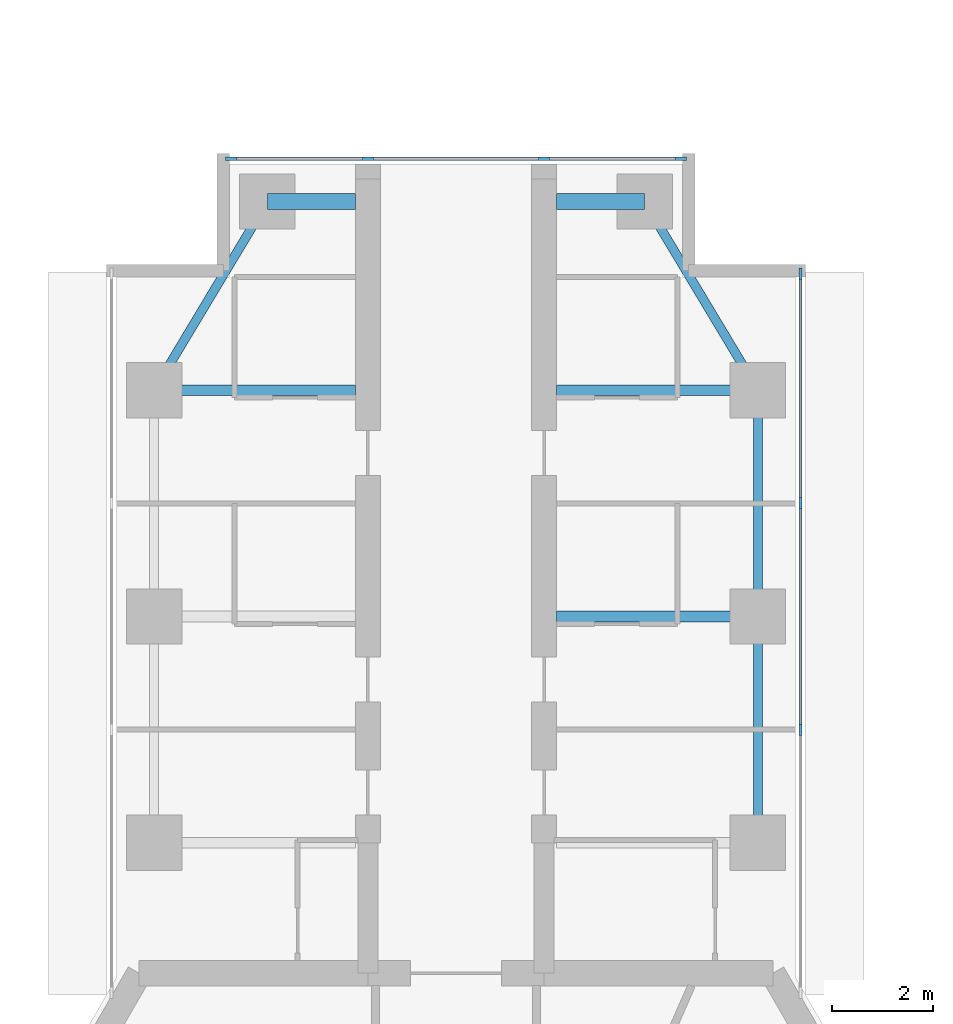
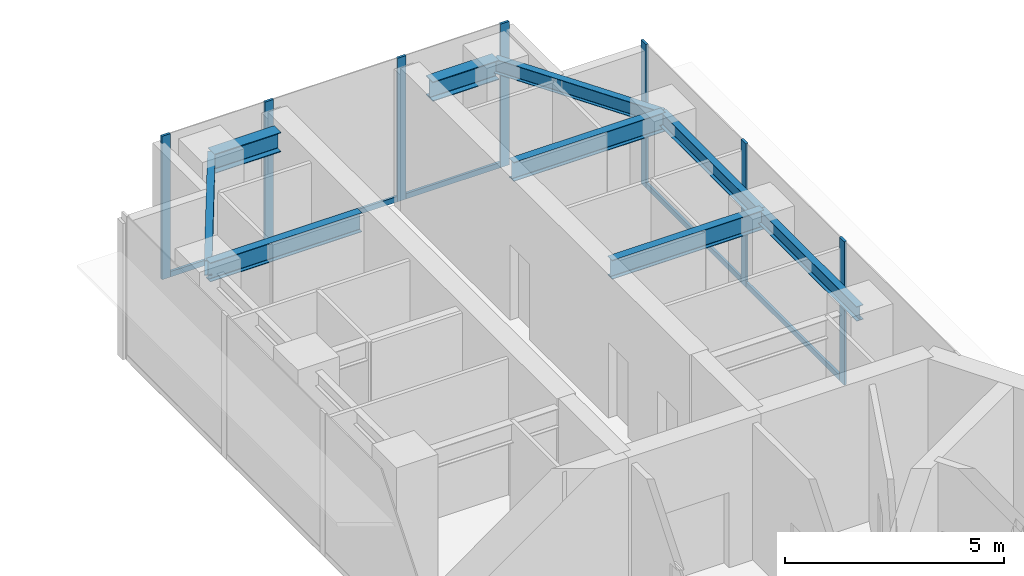
# One storey, part 9 of 18: 12 members, 9 beams, 2 elements without a shape of their own.
"""IFC4 building model written with IfcOpenShell, lengths in metres."""

from ifc_helpers import new_model, si_unit, direction, frame, origin, origin_2d, place, context, subcontext, project, spatial, rectangle, i_section, extrude, material, material_profile, profile_set, type_object, element, aggregate, save


model = new_model("IFC4")

# Units and contexts
model_context = context("Model", 3, precision=1e-05, world=origin(), true_north=direction((0.0, 1.0)))
body_context = subcontext(model_context, "Body", "Model", "MODEL_VIEW")
ifc_project = project(units=[si_unit("LENGTHUNIT", "METRE"), si_unit("AREAUNIT", "SQUARE_METRE"), si_unit("VOLUMEUNIT", "CUBIC_METRE"), si_unit("PLANEANGLEUNIT", "RADIAN"), si_unit("MASSUNIT", "GRAM", prefix="KILO")], contexts=[model_context])

# Site, building, storey
site_placement = place(None, origin())
site = spatial("IfcSite", under=ifc_project, at=site_placement, CompositionType="ELEMENT")
building_placement = place(site_placement, origin())
building = spatial("IfcBuilding", under=site, at=building_placement, Name="Upepo Twin Towers", CompositionType="ELEMENT")
storey_placement = place(building_placement, frame((0.0, 0.0, 226.5)))
storey = spatial("IfcBuildingStorey", under=building, at=storey_placement, Name="L55", CompositionType="ELEMENT", Elevation=226.5)

# Beams
ifc_material_1 = material(Name="Steel S355", Category="steel")
ifc_material_profile_1 = material_profile(ifc_material_1, i_section(OverallWidth=0.177978515625, OverallDepth=0.406494140625, WebThickness=0.0078125, FlangeThickness=0.0126953125, FilletRadius=0.01025390625, at=origin_2d()), Name="UB 406x178x60")
ifc_profile_set_1 = profile_set([ifc_material_profile_1], Name="Steel S355")
beam_type_1 = type_object("IfcBeamType", Name="Beam UB 406x178x60", PredefinedType="BEAM", material=ifc_profile_set_1)
beam_1_placement = place(storey_placement, frame((52.5, 4.5, 3.5966796875), z_axis=(0.514495755428, 0.857492925713, 0.0), x_axis=(-0.857492925713, 0.514495755428, 0.0)))
element("IfcBeam", 1, at=beam_1_placement, inside=storey, type_object=beam_type_1, Name="T2 nose edge beam AL", PredefinedType="BEAM", context=body_context, shape_type="SweptSolid", body=[
    extrude(i_section(OverallWidth=0.177978515625, OverallDepth=0.406494140625, WebThickness=0.0078125, FlangeThickness=0.0126953125, FilletRadius=0.01025390625, at=origin_2d()), origin(), (0.0, 0.0, 1.0), 4.373291015625),
])
for number, where, z_axis, x_axis, name in (
    (2, (64.5, -4.5, 3.5966796875), (0.0, 1.0, 0.0), (-1.0, 0.0, 0.0), "T2 edge beam AR 13.5-18.0"),
    (3, (64.5, 0.0, 3.5966796875), (0.0, 1.0, 0.0), (-1.0, 0.0, 0.0), "T2 edge beam AR 18.0-22.5"),
):
    element("IfcBeam", number, at=place(storey_placement, frame(where, z_axis=z_axis, x_axis=x_axis)), inside=storey, type_object=beam_type_1, Name=name, PredefinedType="BEAM", context=body_context, shape_type="SweptSolid", body=[
        extrude(i_section(OverallWidth=0.177978515625, OverallDepth=0.406494140625, WebThickness=0.0078125, FlangeThickness=0.0126953125, FilletRadius=0.01025390625, at=origin_2d()), origin(), (0.0, 0.0, 1.0), 4.5),
    ])
beam_2_placement = place(storey_placement, frame((64.5, 4.5, 3.5966796875), z_axis=(-0.514495755428, 0.857492925713, 0.0), x_axis=(-0.857492925713, -0.514495755428, 0.0)))
element("IfcBeam", 4, at=beam_2_placement, inside=storey, type_object=beam_type_1, Name="T2 nose edge beam AR", PredefinedType="BEAM", context=body_context, shape_type="SweptSolid", body=[
    extrude(i_section(OverallWidth=0.177978515625, OverallDepth=0.406494140625, WebThickness=0.0078125, FlangeThickness=0.0126953125, FilletRadius=0.01025390625, at=origin_2d()), origin(), (0.0, 0.0, 1.0), 4.373291015625),
])
ifc_material_2 = material(Name="Steel S355", Category="steel")
ifc_material_profile_2 = material_profile(ifc_material_2, i_section(OverallWidth=0.209228515625, OverallDepth=0.533203125, WebThickness=0.010009765625, FlangeThickness=0.015625, FilletRadius=0.0126953125, at=origin_2d()), Name="UB 533x210x92")
ifc_profile_set_2 = profile_set([ifc_material_profile_2], Name="Steel S355")
beam_type_2 = type_object("IfcBeamType", Name="Beam UB 533x210x92", PredefinedType="BEAM", material=ifc_profile_set_2)
for number, where, z_axis, x_axis, name in (
    (5, (52.5, 4.5, 3.533447265625), (1.0, 0.0, 0.0), (0.0, 1.0, 0.0), "T2 girder AL at 22.5"),
    (6, (64.5, 0.0, 3.533447265625), (-1.0, 0.0, 0.0), (0.0, -1.0, 0.0), "T2 girder AR at 18.0"),
    (7, (64.5, 4.5, 3.533447265625), (-1.0, 0.0, 0.0), (0.0, -1.0, 0.0), "T2 girder AR at 22.5"),
):
    element("IfcBeam", number, at=place(storey_placement, frame(where, z_axis=z_axis, x_axis=x_axis)), inside=storey, type_object=beam_type_2, Name=name, PredefinedType="BEAM", context=body_context, shape_type="SweptSolid", body=[
        extrude(i_section(OverallWidth=0.209228515625, OverallDepth=0.533203125, WebThickness=0.010009765625, FlangeThickness=0.015625, FilletRadius=0.0126953125, at=origin_2d()), origin(), (0.0, 0.0, 1.0), 4.0),
    ])
ifc_material_3 = material(Name="Steel S355", Category="steel")
ifc_material_profile_3 = material_profile(ifc_material_3, i_section(OverallWidth=0.31201171875, OverallDepth=0.54345703125, WebThickness=0.0126953125, FlangeThickness=0.020263671875, FilletRadius=0.0126953125, at=origin_2d()), Name="UB 533x312x150")
ifc_profile_set_3 = profile_set([ifc_material_profile_3], Name="Steel S355")
beam_type_3 = type_object("IfcBeamType", Name="Beam UB 533x312x150", PredefinedType="BEAM", material=ifc_profile_set_3)
for number, where, z_axis, x_axis, name in (
    (8, (54.75, 8.25, 3.5283203125), (1.0, 0.0, 0.0), (0.0, 1.0, 0.0), "T2 nose beam AL"),
    (9, (62.25, 8.25, 3.5283203125), (-1.0, 0.0, 0.0), (0.0, -1.0, 0.0), "T2 nose beam AR"),
):
    element("IfcBeam", number, at=place(storey_placement, frame(where, z_axis=z_axis, x_axis=x_axis)), inside=storey, type_object=beam_type_3, Name=name, PredefinedType="BEAM", context=body_context, shape_type="SweptSolid", body=[
        extrude(i_section(OverallWidth=0.31201171875, OverallDepth=0.54345703125, WebThickness=0.0126953125, FlangeThickness=0.020263671875, FilletRadius=0.0126953125, at=origin_2d()), origin(), (0.0, 0.0, 1.0), 1.75),
    ])

# Curtain wall, members
ifc_material_4 = material(Name="Aluminium and fritted glass", Category="aluminium")
curtain_wall_type = type_object("IfcCurtainWallType", Name="Tower curtain wall TW3, fritted glass", PredefinedType="NOTDEFINED", material=ifc_material_4)
curtain_wall_1_placement = place(storey_placement, origin())
curtain_wall_1 = element("IfcCurtainWall", 10, at=curtain_wall_1_placement, inside=storey, type_object=curtain_wall_type, Name="T2 L55 wing A flank R curtain wall", PredefinedType="NOTDEFINED")
ifc_material_5 = material(Name="Aluminium mullion", Category="aluminium")
ifc_material_profile_4 = material_profile(ifc_material_5, rectangle(XDim=0.06494140625, YDim=0.22509765625, at=origin_2d()), Name="MULLION 65x225")
ifc_profile_set_4 = profile_set([ifc_material_profile_4], Name="Aluminium mullion")
member_type_1 = type_object("IfcMemberType", Name="Mullion 65x225 TW3", PredefinedType="MULLION", material=ifc_profile_set_4)
member_1_placement = place(storey_placement, frame((65.35009765625, 6.8173828125, 0.0), z_axis=(0.0, 0.0, 1.0), x_axis=(1.0, 0.0, 0.0)))
member_1 = element("IfcMember", 11, at=member_1_placement, type_object=member_type_1, Name="T2 L55 wing A flank R curtain wall mullion 1", PredefinedType="MULLION", context=body_context, shape_type="SweptSolid", body=[
    extrude(rectangle(XDim=0.06494140625, YDim=0.22509765625, at=origin_2d()), origin(), (0.0, 0.0, 1.0), 4.0),
])
member_2_placement = place(storey_placement, frame((65.35009765625, 2.25, 0.0), z_axis=(0.0, 0.0, 1.0), x_axis=(1.0, 0.0, 0.0)))
member_2 = element("IfcMember", 12, at=member_2_placement, type_object=member_type_1, Name="T2 L55 wing A flank R curtain wall mullion 2", PredefinedType="MULLION", context=body_context, shape_type="SweptSolid", body=[
    extrude(rectangle(XDim=0.06494140625, YDim=0.22509765625, at=origin_2d()), origin(), (0.0, 0.0, 1.0), 4.0),
])
member_3_placement = place(storey_placement, frame((65.35009765625, -2.25, 0.0), z_axis=(0.0, 0.0, 1.0), x_axis=(1.0, 0.0, 0.0)))
member_3 = element("IfcMember", 13, at=member_3_placement, type_object=member_type_1, Name="T2 L55 wing A flank R curtain wall mullion 3", PredefinedType="MULLION", context=body_context, shape_type="SweptSolid", body=[
    extrude(rectangle(XDim=0.06494140625, YDim=0.22509765625, at=origin_2d()), origin(), (0.0, 0.0, 1.0), 4.0),
])

curtain_wall_2_placement = place(storey_placement, origin())
curtain_wall_2 = element("IfcCurtainWall", 14, at=curtain_wall_2_placement, inside=storey, type_object=curtain_wall_type, Name="T2 L55 wing A nose curtain wall", PredefinedType="NOTDEFINED")
member_4_placement = place(storey_placement, frame((62.967529296875, 9.10009765625, 0.0), z_axis=(0.0, 0.0, 1.0), x_axis=(0.0, -1.0, 0.0)))
member_4 = element("IfcMember", 15, at=member_4_placement, type_object=member_type_1, Name="T2 L55 wing A nose curtain wall mullion 1", PredefinedType="MULLION", context=body_context, shape_type="SweptSolid", body=[
    extrude(rectangle(XDim=0.06494140625, YDim=0.22509765625, at=origin_2d()), origin(), (0.0, 0.0, 1.0), 4.0),
])
member_5_placement = place(storey_placement, frame((60.25, 9.10009765625, 0.0), z_axis=(0.0, 0.0, 1.0), x_axis=(0.0, -1.0, 0.0)))
member_5 = element("IfcMember", 16, at=member_5_placement, type_object=member_type_1, Name="T2 L55 wing A nose curtain wall mullion 2", PredefinedType="MULLION", context=body_context, shape_type="SweptSolid", body=[
    extrude(rectangle(XDim=0.06494140625, YDim=0.22509765625, at=origin_2d()), origin(), (0.0, 0.0, 1.0), 4.0),
])
member_6_placement = place(storey_placement, frame((56.75, 9.10009765625, 0.0), z_axis=(0.0, 0.0, 1.0), x_axis=(0.0, -1.0, 0.0)))
member_6 = element("IfcMember", 17, at=member_6_placement, type_object=member_type_1, Name="T2 L55 wing A nose curtain wall mullion 3", PredefinedType="MULLION", context=body_context, shape_type="SweptSolid", body=[
    extrude(rectangle(XDim=0.06494140625, YDim=0.22509765625, at=origin_2d()), origin(), (0.0, 0.0, 1.0), 4.0),
])
member_7_placement = place(storey_placement, frame((54.032470703125, 9.10009765625, 0.0), z_axis=(0.0, 0.0, 1.0), x_axis=(0.0, -1.0, 0.0)))
member_7 = element("IfcMember", 18, at=member_7_placement, type_object=member_type_1, Name="T2 L55 wing A nose curtain wall mullion 4", PredefinedType="MULLION", context=body_context, shape_type="SweptSolid", body=[
    extrude(rectangle(XDim=0.06494140625, YDim=0.22509765625, at=origin_2d()), origin(), (0.0, 0.0, 1.0), 4.0),
])

# Member
ifc_material_6 = material(Name="Aluminium transom", Category="aluminium")
ifc_material_profile_5 = material_profile(ifc_material_6, rectangle(XDim=0.06494140625, YDim=0.14990234375, at=origin_2d()), Name="TRANSOM 65x150")
ifc_profile_set_5 = profile_set([ifc_material_profile_5], Name="Aluminium transom")
member_type_2 = type_object("IfcMemberType", Name="Transom 65x150 TW3", PredefinedType="USERDEFINED", material=ifc_profile_set_5)
member_8_placement = place(storey_placement, frame((65.35009765625, 6.784912109375, 0.074951171875), z_axis=(0.0, -1.0, 0.0), x_axis=(1.0, 0.0, 0.0)))
member_8 = element("IfcMember", 19, at=member_8_placement, type_object=member_type_2, Name="T2 L55 wing A flank R curtain wall transom 1", ObjectType="TRANSOM", PredefinedType="USERDEFINED", context=body_context, shape_type="SweptSolid", body=[
    extrude(rectangle(XDim=0.06494140625, YDim=0.14990234375, at=origin_2d()), origin(), (0.0, 0.0, 1.0), 4.50244140625),
])

member_9_placement = place(storey_placement, frame((65.35009765625, 2.217529296875, 0.074951171875), z_axis=(0.0, -1.0, 0.0), x_axis=(1.0, 0.0, 0.0)))
member_9 = element("IfcMember", 20, at=member_9_placement, type_object=member_type_2, Name="T2 L55 wing A flank R curtain wall transom 2", ObjectType="TRANSOM", PredefinedType="USERDEFINED", context=body_context, shape_type="SweptSolid", body=[
    extrude(rectangle(XDim=0.06494140625, YDim=0.14990234375, at=origin_2d()), origin(), (0.0, 0.0, 1.0), 4.43505859375),
])

aggregate(curtain_wall_1, [member_1, member_2, member_3, member_8, member_9])

member_10_placement = place(storey_placement, frame((62.93505859375, 9.10009765625, 0.074951171875), z_axis=(-1.0, 0.0, 0.0), x_axis=(0.0, -1.0, 0.0)))
member_10 = element("IfcMember", 21, at=member_10_placement, type_object=member_type_2, Name="T2 L55 wing A nose curtain wall transom 1", ObjectType="TRANSOM", PredefinedType="USERDEFINED", context=body_context, shape_type="SweptSolid", body=[
    extrude(rectangle(XDim=0.06494140625, YDim=0.14990234375, at=origin_2d()), origin(), (0.0, 0.0, 1.0), 2.652587890625),
])

member_11_placement = place(storey_placement, frame((60.217529296875, 9.10009765625, 0.074951171875), z_axis=(-1.0, 0.0, 0.0), x_axis=(0.0, -1.0, 0.0)))
member_11 = element("IfcMember", 22, at=member_11_placement, type_object=member_type_2, Name="T2 L55 wing A nose curtain wall transom 2", ObjectType="TRANSOM", PredefinedType="USERDEFINED", context=body_context, shape_type="SweptSolid", body=[
    extrude(rectangle(XDim=0.06494140625, YDim=0.14990234375, at=origin_2d()), origin(), (0.0, 0.0, 1.0), 3.43505859375),
])

member_12_placement = place(storey_placement, frame((56.717529296875, 9.10009765625, 0.074951171875), z_axis=(-1.0, 0.0, 0.0), x_axis=(0.0, -1.0, 0.0)))
member_12 = element("IfcMember", 23, at=member_12_placement, type_object=member_type_2, Name="T2 L55 wing A nose curtain wall transom 3", ObjectType="TRANSOM", PredefinedType="USERDEFINED", context=body_context, shape_type="SweptSolid", body=[
    extrude(rectangle(XDim=0.06494140625, YDim=0.14990234375, at=origin_2d()), origin(), (0.0, 0.0, 1.0), 2.652587890625),
])

aggregate(curtain_wall_2, [member_4, member_5, member_6, member_7, member_10, member_11, member_12])

save(model, "model.ifc")
